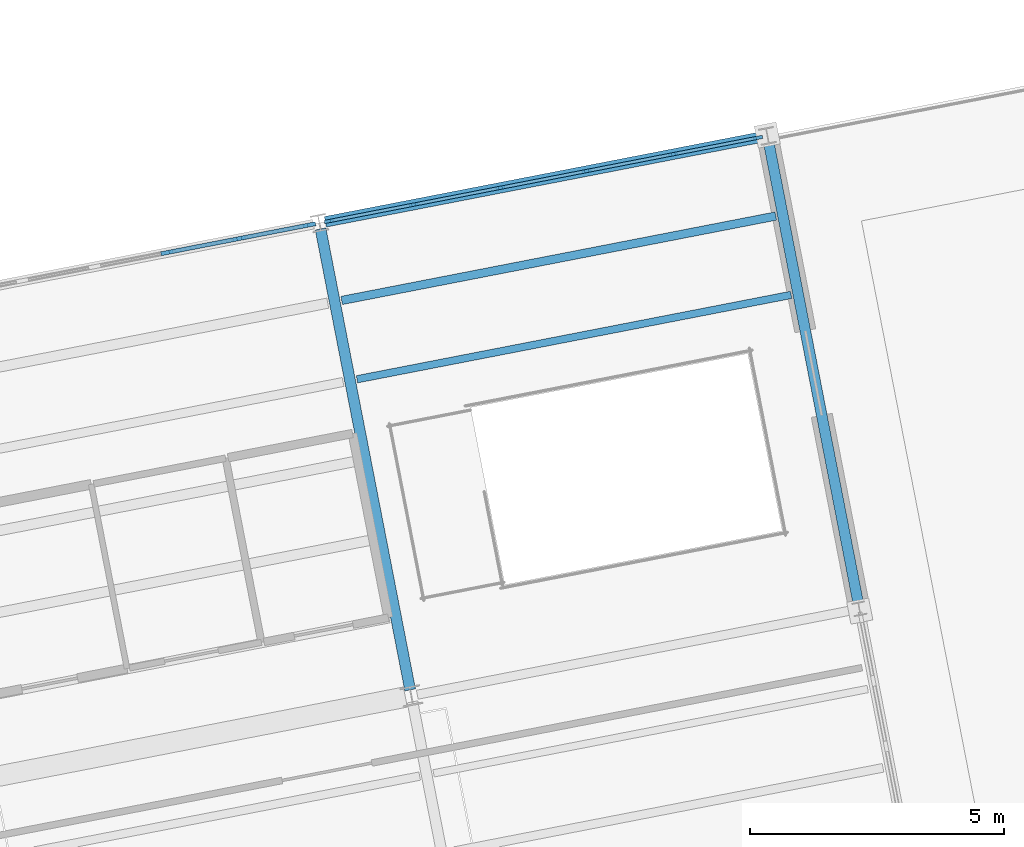
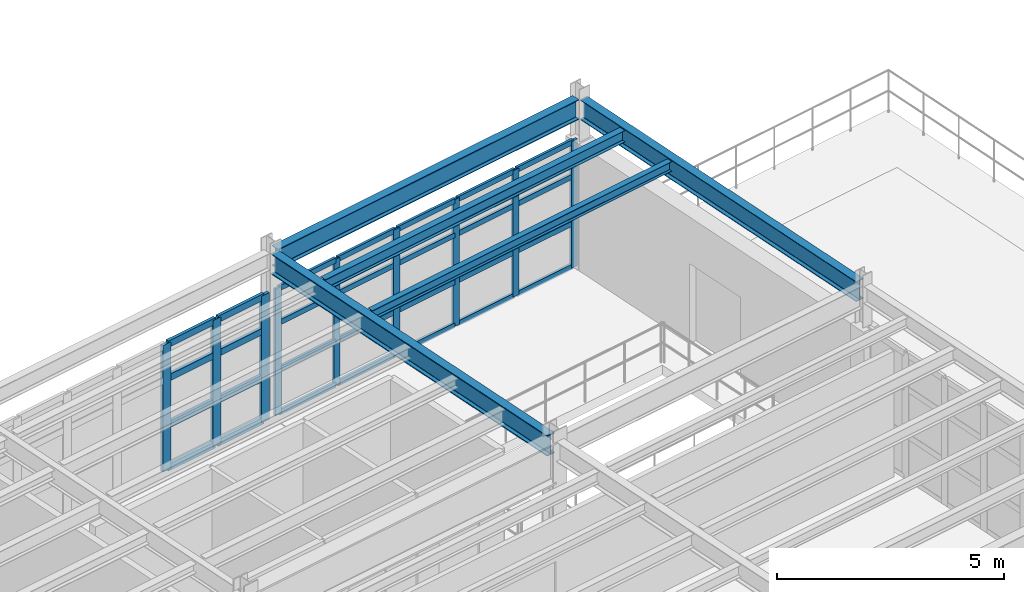
# One storey, part 21 of 102: 37 members, 5 beams, 2 elements without a shape of their own.
"""IFC4 building model written with IfcOpenShell, lengths in metres."""

from ifc_helpers import new_model, si_unit, direction, frame, origin, origin_2d, place, context, subcontext, project, spatial, rectangle, i_section, extrude, material, layer, layer_set, material_profile, profile_set, type_object, element, aggregate, save


model = new_model("IFC4")

# Units and contexts
model_context = context("Model", 3, precision=1e-05, world=origin(), true_north=direction((0.0, 1.0)))
body_context = subcontext(model_context, "Body", "Model", "MODEL_VIEW")
ifc_project = project(units=[si_unit("LENGTHUNIT", "METRE"), si_unit("AREAUNIT", "SQUARE_METRE"), si_unit("VOLUMEUNIT", "CUBIC_METRE"), si_unit("PLANEANGLEUNIT", "RADIAN"), si_unit("MASSUNIT", "GRAM", prefix="KILO")], contexts=[model_context])

# Site, building, storey
site_placement = place(None, origin())
site = spatial("IfcSite", under=ifc_project, at=site_placement, CompositionType="ELEMENT")
building_placement = place(site_placement, origin())
building = spatial("IfcBuilding", under=site, at=building_placement, Name="Vireo Bluff Cable Station", CompositionType="ELEMENT")
storey_placement = place(building_placement, frame((0.0, 0.0, 9.60009765625)))
storey = spatial("IfcBuildingStorey", under=building, at=storey_placement, Name="L02", CompositionType="ELEMENT", Elevation=9.60009765625)

# Beam
ifc_material_1 = material(Name="Steel ASTM A992 Gr. 50", Category="steel")
ifc_material_profile_1 = material_profile(ifc_material_1, i_section(OverallWidth=0.214111328125, OverallDepth=0.549072265625, WebThickness=0.0146484375, FlangeThickness=0.023681640625, FilletRadius=0.012939453125, at=origin_2d()), Name="W21X93")
ifc_profile_set_1 = profile_set([ifc_material_profile_1], Name="Steel ASTM A992 Gr. 50")
beam_type_1 = type_object("IfcBeamType", Name="BM-W21X93", PredefinedType="BEAM", material=ifc_profile_set_1)
beam_1_placement = place(storey_placement, frame((25.333740234375, 18.3779296875, 4.225341796875), z_axis=(-0.190804735679, 0.981628011439, 0.0), x_axis=(-0.981628011439, -0.190804735679, 0.0)))
element("IfcBeam", 1, at=beam_1_placement, inside=storey, type_object=beam_type_1, Name="V5 L02 beam 1263", PredefinedType="BEAM", context=body_context, shape_type="SweptSolid", body=[
    extrude(i_section(OverallWidth=0.214111328125, OverallDepth=0.549072265625, WebThickness=0.0146484375, FlangeThickness=0.023681640625, FilletRadius=0.012939453125, at=origin_2d()), origin(), (0.0, 0.0, 1.0), 9.260009765625),
])

# Curtain wall, members
ifc_material_2 = material(Name="Anodized Aluminium 6063-T6", Category="aluminium")
ifc_layer_1 = layer(ifc_material_2, 0.179931640625, Name="Anodized Aluminium 6063-T6")
ifc_layer_set_1 = layer_set([ifc_layer_1], Name="Anodized Aluminium 6063-T6")
curtain_wall_type_1 = type_object("IfcCurtainWallType", Name="CW-UNIT-1650", PredefinedType="USERDEFINED", material=ifc_layer_set_1)
curtain_wall_1_placement = place(storey_placement, origin())
curtain_wall_1 = element("IfcCurtainWall", 2, at=curtain_wall_1_placement, inside=storey, type_object=curtain_wall_type_1, Name="V5 L02 north curtain wall CW-128", ObjectType="UNITISED CURTAIN WALL", PredefinedType="USERDEFINED")
ifc_material_profile_2 = material_profile(ifc_material_2, rectangle(XDim=0.06494140625, YDim=0.179931640625, at=origin_2d()), Name="ALU-M-65X180")
ifc_profile_set_2 = profile_set([ifc_material_profile_2], Name="Anodized Aluminium 6063-T6")
member_type_1 = type_object("IfcMemberType", Name="CWM-01", PredefinedType="MULLION", material=ifc_profile_set_2)
member_1_placement = place(storey_placement, frame((23.7314453125, 27.621826171875, 0.0), z_axis=(0.0, 0.0, 1.0), x_axis=(-0.190808983435, 0.981627185769, 0.0)))
member_1 = element("IfcMember", 3, at=member_1_placement, type_object=member_type_1, Name="CW-128 mullion 1", PredefinedType="MULLION", context=body_context, shape_type="SweptSolid", body=[
    extrude(rectangle(XDim=0.06494140625, YDim=0.179931640625, at=origin_2d()), origin(), (0.0, 0.0, 1.0), 3.39990234375),
])
member_2_placement = place(storey_placement, frame((25.404541015625, 27.947265625, 0.0), z_axis=(0.0, 0.0, 1.0), x_axis=(-0.190808983435, 0.981627185769, 0.0)))
member_2 = element("IfcMember", 4, at=member_2_placement, type_object=member_type_1, Name="CW-128 mullion 2", PredefinedType="MULLION", context=body_context, shape_type="SweptSolid", body=[
    extrude(rectangle(XDim=0.06494140625, YDim=0.179931640625, at=origin_2d()), origin(), (0.0, 0.0, 1.0), 3.39990234375),
])
member_3_placement = place(storey_placement, frame((27.109619140625, 28.278564453125, 0.0), z_axis=(0.0, 0.0, 1.0), x_axis=(-0.190808983435, 0.981627185769, 0.0)))
member_3 = element("IfcMember", 5, at=member_3_placement, type_object=member_type_1, Name="CW-128 mullion 3", PredefinedType="MULLION", context=body_context, shape_type="SweptSolid", body=[
    extrude(rectangle(XDim=0.06494140625, YDim=0.179931640625, at=origin_2d()), origin(), (0.0, 0.0, 1.0), 3.39990234375),
])
member_4_placement = place(storey_placement, frame((28.814697265625, 28.610107421875, 0.0), z_axis=(0.0, 0.0, 1.0), x_axis=(-0.190808983435, 0.981627185769, 0.0)))
member_4 = element("IfcMember", 6, at=member_4_placement, type_object=member_type_1, Name="CW-128 mullion 4", PredefinedType="MULLION", context=body_context, shape_type="SweptSolid", body=[
    extrude(rectangle(XDim=0.06494140625, YDim=0.179931640625, at=origin_2d()), origin(), (0.0, 0.0, 1.0), 3.39990234375),
])
member_5_placement = place(storey_placement, frame((30.519775390625, 28.94140625, 0.0), z_axis=(0.0, 0.0, 1.0), x_axis=(-0.190808983435, 0.981627185769, 0.0)))
member_5 = element("IfcMember", 7, at=member_5_placement, type_object=member_type_1, Name="CW-128 mullion 5", PredefinedType="MULLION", context=body_context, shape_type="SweptSolid", body=[
    extrude(rectangle(XDim=0.06494140625, YDim=0.179931640625, at=origin_2d()), origin(), (0.0, 0.0, 1.0), 3.39990234375),
])
member_6_placement = place(storey_placement, frame((32.193115234375, 29.2666015625, 0.0), z_axis=(0.0, 0.0, 1.0), x_axis=(-0.190808983435, 0.981627185769, 0.0)))
member_6 = element("IfcMember", 8, at=member_6_placement, type_object=member_type_1, Name="CW-128 mullion 6", PredefinedType="MULLION", context=body_context, shape_type="SweptSolid", body=[
    extrude(rectangle(XDim=0.06494140625, YDim=0.179931640625, at=origin_2d()), origin(), (0.0, 0.0, 1.0), 3.39990234375),
])

ifc_layer_2 = layer(ifc_material_2, 0.179931640625, Name="Anodized Aluminium 6063-T6")
ifc_layer_set_2 = layer_set([ifc_layer_2], Name="Anodized Aluminium 6063-T6")
curtain_wall_type_2 = type_object("IfcCurtainWallType", Name="CW-UNIT-1500", PredefinedType="USERDEFINED", material=ifc_layer_set_2)
curtain_wall_2_placement = place(storey_placement, origin())
curtain_wall_2 = element("IfcCurtainWall", 9, at=curtain_wall_2_placement, inside=storey, type_object=curtain_wall_type_2, Name="V5 L02 north curtain wall CW-127", ObjectType="UNITISED CURTAIN WALL", PredefinedType="USERDEFINED")
ifc_material_profile_3 = material_profile(ifc_material_2, rectangle(XDim=0.080078125, YDim=0.239990234375, at=origin_2d()), Name="ALU-M-80X240")
ifc_profile_set_3 = profile_set([ifc_material_profile_3], Name="Anodized Aluminium 6063-T6")
member_type_2 = type_object("IfcMemberType", Name="CWM-04", PredefinedType="MULLION", material=ifc_profile_set_3)
member_7_placement = place(storey_placement, frame((20.53759765625, 27.001220703125, 0.0), z_axis=(0.0, 0.0, 1.0), x_axis=(-0.19080899942, 0.981627182662, 0.0)))
member_7 = element("IfcMember", 10, at=member_7_placement, type_object=member_type_2, Name="CW-127 mullion 5", PredefinedType="MULLION", context=body_context, shape_type="SweptSolid", body=[
    extrude(rectangle(XDim=0.080078125, YDim=0.239990234375, at=origin_2d()), origin(), (0.0, 0.0, 1.0), 3.39990234375),
])
member_8_placement = place(storey_placement, frame((21.962890625, 27.278076171875, 0.0), z_axis=(0.0, 0.0, 1.0), x_axis=(-0.19080899942, 0.981627182662, 0.0)))
member_8 = element("IfcMember", 11, at=member_8_placement, type_object=member_type_2, Name="CW-127 mullion 6", PredefinedType="MULLION", context=body_context, shape_type="SweptSolid", body=[
    extrude(rectangle(XDim=0.080078125, YDim=0.239990234375, at=origin_2d()), origin(), (0.0, 0.0, 1.0), 3.39990234375),
])
member_9_placement = place(storey_placement, frame((23.34912109375, 27.547607421875, 0.0), z_axis=(0.0, 0.0, 1.0), x_axis=(-0.19080899942, 0.981627182662, 0.0)))
member_9 = element("IfcMember", 12, at=member_9_placement, type_object=member_type_2, Name="CW-127 mullion 7", PredefinedType="MULLION", context=body_context, shape_type="SweptSolid", body=[
    extrude(rectangle(XDim=0.080078125, YDim=0.239990234375, at=origin_2d()), origin(), (0.0, 0.0, 1.0), 3.39990234375),
])

# Member
ifc_material_profile_4 = material_profile(ifc_material_2, rectangle(XDim=0.06494140625, YDim=0.139892578125, at=origin_2d()), Name="ALU-T-65X140")
ifc_profile_set_4 = profile_set([ifc_material_profile_4], Name="Anodized Aluminium 6063-T6")
member_type_3 = type_object("IfcMemberType", Name="CWT-01", PredefinedType="USERDEFINED", material=ifc_profile_set_4)
member_10_placement = place(storey_placement, frame((23.763427734375, 27.628173828125, 0.032470703125), z_axis=(0.981637083715, 0.190758055861, 0.0), x_axis=(-0.190758055861, 0.981637083715, 0.0)))
member_10 = element("IfcMember", 13, at=member_10_placement, type_object=member_type_3, Name="CW-128 transom 1.1", ObjectType="TRANSOM", PredefinedType="USERDEFINED", context=body_context, shape_type="SweptSolid", body=[
    extrude(rectangle(XDim=0.06494140625, YDim=0.139892578125, at=origin_2d()), origin(), (0.0, 0.0, 1.0), 1.639404296875),
])

member_11_placement = place(storey_placement, frame((23.763427734375, 27.628173828125, 1.18994140625), z_axis=(0.981637083715, 0.190758055861, 0.0), x_axis=(-0.190758055861, 0.981637083715, 0.0)))
member_11 = element("IfcMember", 14, at=member_11_placement, type_object=member_type_3, Name="CW-128 transom 1.2", ObjectType="TRANSOM", PredefinedType="USERDEFINED", context=body_context, shape_type="SweptSolid", body=[
    extrude(rectangle(XDim=0.06494140625, YDim=0.139892578125, at=origin_2d()), origin(), (0.0, 0.0, 1.0), 1.639404296875),
])

member_12_placement = place(storey_placement, frame((23.763427734375, 27.628173828125, 2.447998046875), z_axis=(0.981637083715, 0.190758055861, 0.0), x_axis=(-0.190758055861, 0.981637083715, 0.0)))
member_12 = element("IfcMember", 15, at=member_12_placement, type_object=member_type_3, Name="CW-128 transom 1.3", ObjectType="TRANSOM", PredefinedType="USERDEFINED", context=body_context, shape_type="SweptSolid", body=[
    extrude(rectangle(XDim=0.06494140625, YDim=0.139892578125, at=origin_2d()), origin(), (0.0, 0.0, 1.0), 1.639404296875),
])

member_13_placement = place(storey_placement, frame((23.763427734375, 27.628173828125, 3.367431640625), z_axis=(0.981637083715, 0.190758055861, 0.0), x_axis=(-0.190758055861, 0.981637083715, 0.0)))
member_13 = element("IfcMember", 16, at=member_13_placement, type_object=member_type_3, Name="CW-128 transom 1.4", ObjectType="TRANSOM", PredefinedType="USERDEFINED", context=body_context, shape_type="SweptSolid", body=[
    extrude(rectangle(XDim=0.06494140625, YDim=0.139892578125, at=origin_2d()), origin(), (0.0, 0.0, 1.0), 1.639404296875),
])

member_14_placement = place(storey_placement, frame((25.4365234375, 27.953369140625, 0.032470703125), z_axis=(0.981622228148, 0.190834486418, 0.0), x_axis=(-0.190834486418, 0.981622228148, 0.0)))
member_14 = element("IfcMember", 17, at=member_14_placement, type_object=member_type_3, Name="CW-128 transom 2.1", ObjectType="TRANSOM", PredefinedType="USERDEFINED", context=body_context, shape_type="SweptSolid", body=[
    extrude(rectangle(XDim=0.06494140625, YDim=0.139892578125, at=origin_2d()), origin(), (0.0, 0.0, 1.0), 1.672119140625),
])

member_15_placement = place(storey_placement, frame((25.4365234375, 27.953369140625, 1.18994140625), z_axis=(0.981622228148, 0.190834486418, 0.0), x_axis=(-0.190834486418, 0.981622228148, 0.0)))
member_15 = element("IfcMember", 18, at=member_15_placement, type_object=member_type_3, Name="CW-128 transom 2.2", ObjectType="TRANSOM", PredefinedType="USERDEFINED", context=body_context, shape_type="SweptSolid", body=[
    extrude(rectangle(XDim=0.06494140625, YDim=0.139892578125, at=origin_2d()), origin(), (0.0, 0.0, 1.0), 1.672119140625),
])

member_16_placement = place(storey_placement, frame((25.4365234375, 27.953369140625, 2.447998046875), z_axis=(0.981622228148, 0.190834486418, 0.0), x_axis=(-0.190834486418, 0.981622228148, 0.0)))
member_16 = element("IfcMember", 19, at=member_16_placement, type_object=member_type_3, Name="CW-128 transom 2.3", ObjectType="TRANSOM", PredefinedType="USERDEFINED", context=body_context, shape_type="SweptSolid", body=[
    extrude(rectangle(XDim=0.06494140625, YDim=0.139892578125, at=origin_2d()), origin(), (0.0, 0.0, 1.0), 1.672119140625),
])

member_17_placement = place(storey_placement, frame((25.4365234375, 27.953369140625, 3.367431640625), z_axis=(0.981622228148, 0.190834486418, 0.0), x_axis=(-0.190834486418, 0.981622228148, 0.0)))
member_17 = element("IfcMember", 20, at=member_17_placement, type_object=member_type_3, Name="CW-128 transom 2.4", ObjectType="TRANSOM", PredefinedType="USERDEFINED", context=body_context, shape_type="SweptSolid", body=[
    extrude(rectangle(XDim=0.06494140625, YDim=0.139892578125, at=origin_2d()), origin(), (0.0, 0.0, 1.0), 1.672119140625),
])

member_18_placement = place(storey_placement, frame((27.1416015625, 28.284912109375, 0.032470703125), z_axis=(0.981649570413, 0.190693788332, 0.0), x_axis=(-0.190693788332, 0.981649570413, 0.0)))
member_18 = element("IfcMember", 21, at=member_18_placement, type_object=member_type_3, Name="CW-128 transom 3.1", ObjectType="TRANSOM", PredefinedType="USERDEFINED", context=body_context, shape_type="SweptSolid", body=[
    extrude(rectangle(XDim=0.06494140625, YDim=0.139892578125, at=origin_2d()), origin(), (0.0, 0.0, 1.0), 1.672119140625),
])

member_19_placement = place(storey_placement, frame((27.1416015625, 28.284912109375, 1.18994140625), z_axis=(0.981649570413, 0.190693788332, 0.0), x_axis=(-0.190693788332, 0.981649570413, 0.0)))
member_19 = element("IfcMember", 22, at=member_19_placement, type_object=member_type_3, Name="CW-128 transom 3.2", ObjectType="TRANSOM", PredefinedType="USERDEFINED", context=body_context, shape_type="SweptSolid", body=[
    extrude(rectangle(XDim=0.06494140625, YDim=0.139892578125, at=origin_2d()), origin(), (0.0, 0.0, 1.0), 1.672119140625),
])

member_20_placement = place(storey_placement, frame((27.1416015625, 28.284912109375, 2.447998046875), z_axis=(0.981649570413, 0.190693788332, 0.0), x_axis=(-0.190693788332, 0.981649570413, 0.0)))
member_20 = element("IfcMember", 23, at=member_20_placement, type_object=member_type_3, Name="CW-128 transom 3.3", ObjectType="TRANSOM", PredefinedType="USERDEFINED", context=body_context, shape_type="SweptSolid", body=[
    extrude(rectangle(XDim=0.06494140625, YDim=0.139892578125, at=origin_2d()), origin(), (0.0, 0.0, 1.0), 1.672119140625),
])

member_21_placement = place(storey_placement, frame((27.1416015625, 28.284912109375, 3.367431640625), z_axis=(0.981649570413, 0.190693788332, 0.0), x_axis=(-0.190693788332, 0.981649570413, 0.0)))
member_21 = element("IfcMember", 24, at=member_21_placement, type_object=member_type_3, Name="CW-128 transom 3.4", ObjectType="TRANSOM", PredefinedType="USERDEFINED", context=body_context, shape_type="SweptSolid", body=[
    extrude(rectangle(XDim=0.06494140625, YDim=0.139892578125, at=origin_2d()), origin(), (0.0, 0.0, 1.0), 1.672119140625),
])

member_22_placement = place(storey_placement, frame((28.8466796875, 28.6162109375, 0.032470703125), z_axis=(0.981622228148, 0.190834486418, 0.0), x_axis=(-0.190834486418, 0.981622228148, 0.0)))
member_22 = element("IfcMember", 25, at=member_22_placement, type_object=member_type_3, Name="CW-128 transom 4.1", ObjectType="TRANSOM", PredefinedType="USERDEFINED", context=body_context, shape_type="SweptSolid", body=[
    extrude(rectangle(XDim=0.06494140625, YDim=0.139892578125, at=origin_2d()), origin(), (0.0, 0.0, 1.0), 1.672119140625),
])

member_23_placement = place(storey_placement, frame((28.8466796875, 28.6162109375, 1.18994140625), z_axis=(0.981622228148, 0.190834486418, 0.0), x_axis=(-0.190834486418, 0.981622228148, 0.0)))
member_23 = element("IfcMember", 26, at=member_23_placement, type_object=member_type_3, Name="CW-128 transom 4.2", ObjectType="TRANSOM", PredefinedType="USERDEFINED", context=body_context, shape_type="SweptSolid", body=[
    extrude(rectangle(XDim=0.06494140625, YDim=0.139892578125, at=origin_2d()), origin(), (0.0, 0.0, 1.0), 1.672119140625),
])

member_24_placement = place(storey_placement, frame((28.8466796875, 28.6162109375, 2.447998046875), z_axis=(0.981622228148, 0.190834486418, 0.0), x_axis=(-0.190834486418, 0.981622228148, 0.0)))
member_24 = element("IfcMember", 27, at=member_24_placement, type_object=member_type_3, Name="CW-128 transom 4.3", ObjectType="TRANSOM", PredefinedType="USERDEFINED", context=body_context, shape_type="SweptSolid", body=[
    extrude(rectangle(XDim=0.06494140625, YDim=0.139892578125, at=origin_2d()), origin(), (0.0, 0.0, 1.0), 1.672119140625),
])

member_25_placement = place(storey_placement, frame((28.8466796875, 28.6162109375, 3.367431640625), z_axis=(0.981622228148, 0.190834486418, 0.0), x_axis=(-0.190834486418, 0.981622228148, 0.0)))
member_25 = element("IfcMember", 28, at=member_25_placement, type_object=member_type_3, Name="CW-128 transom 4.4", ObjectType="TRANSOM", PredefinedType="USERDEFINED", context=body_context, shape_type="SweptSolid", body=[
    extrude(rectangle(XDim=0.06494140625, YDim=0.139892578125, at=origin_2d()), origin(), (0.0, 0.0, 1.0), 1.672119140625),
])

member_26_placement = place(storey_placement, frame((30.5517578125, 28.94775390625, 0.032470703125), z_axis=(0.981637083715, 0.190758055861, 0.0), x_axis=(-0.190758055861, 0.981637083715, 0.0)))
member_26 = element("IfcMember", 29, at=member_26_placement, type_object=member_type_3, Name="CW-128 transom 5.1", ObjectType="TRANSOM", PredefinedType="USERDEFINED", context=body_context, shape_type="SweptSolid", body=[
    extrude(rectangle(XDim=0.06494140625, YDim=0.139892578125, at=origin_2d()), origin(), (0.0, 0.0, 1.0), 1.639404296875),
])

member_27_placement = place(storey_placement, frame((30.5517578125, 28.94775390625, 1.18994140625), z_axis=(0.981637083715, 0.190758055861, 0.0), x_axis=(-0.190758055861, 0.981637083715, 0.0)))
member_27 = element("IfcMember", 30, at=member_27_placement, type_object=member_type_3, Name="CW-128 transom 5.2", ObjectType="TRANSOM", PredefinedType="USERDEFINED", context=body_context, shape_type="SweptSolid", body=[
    extrude(rectangle(XDim=0.06494140625, YDim=0.139892578125, at=origin_2d()), origin(), (0.0, 0.0, 1.0), 1.639404296875),
])

member_28_placement = place(storey_placement, frame((30.5517578125, 28.94775390625, 2.447998046875), z_axis=(0.981637083715, 0.190758055861, 0.0), x_axis=(-0.190758055861, 0.981637083715, 0.0)))
member_28 = element("IfcMember", 31, at=member_28_placement, type_object=member_type_3, Name="CW-128 transom 5.3", ObjectType="TRANSOM", PredefinedType="USERDEFINED", context=body_context, shape_type="SweptSolid", body=[
    extrude(rectangle(XDim=0.06494140625, YDim=0.139892578125, at=origin_2d()), origin(), (0.0, 0.0, 1.0), 1.639404296875),
])

member_29_placement = place(storey_placement, frame((30.5517578125, 28.94775390625, 3.367431640625), z_axis=(0.981637083715, 0.190758055861, 0.0), x_axis=(-0.190758055861, 0.981637083715, 0.0)))
member_29 = element("IfcMember", 32, at=member_29_placement, type_object=member_type_3, Name="CW-128 transom 5.4", ObjectType="TRANSOM", PredefinedType="USERDEFINED", context=body_context, shape_type="SweptSolid", body=[
    extrude(rectangle(XDim=0.06494140625, YDim=0.139892578125, at=origin_2d()), origin(), (0.0, 0.0, 1.0), 1.639404296875),
])

aggregate(curtain_wall_1, [member_1, member_2, member_3, member_4, member_5, member_6, member_10, member_11, member_12, member_13, member_14, member_15, member_16, member_17, member_18, member_19, member_20, member_21, member_22, member_23, member_24, member_25, member_26, member_27, member_28, member_29])

ifc_material_profile_5 = material_profile(ifc_material_2, rectangle(XDim=0.080078125, YDim=0.175048828125, at=origin_2d()), Name="ALU-T-80X175")
ifc_profile_set_5 = profile_set([ifc_material_profile_5], Name="Anodized Aluminium 6063-T6")
member_type_4 = type_object("IfcMemberType", Name="CWT-04", PredefinedType="USERDEFINED", material=ifc_profile_set_5)
member_30_placement = place(storey_placement, frame((20.576904296875, 27.0087890625, 0.039794921875), z_axis=(0.981640384064, 0.190741071546, 0.0), x_axis=(-0.190741071546, 0.981640384064, 0.0)))
member_30 = element("IfcMember", 33, at=member_30_placement, type_object=member_type_4, Name="CW-127 transom 5.1", ObjectType="TRANSOM", PredefinedType="USERDEFINED", context=body_context, shape_type="SweptSolid", body=[
    extrude(rectangle(XDim=0.080078125, YDim=0.175048828125, at=origin_2d()), origin(), (0.0, 0.0, 1.0), 1.3720703125),
])

member_31_placement = place(storey_placement, frame((20.576904296875, 27.0087890625, 1.18994140625), z_axis=(0.981640384064, 0.190741071546, 0.0), x_axis=(-0.190741071546, 0.981640384064, 0.0)))
member_31 = element("IfcMember", 34, at=member_31_placement, type_object=member_type_4, Name="CW-127 transom 5.2", ObjectType="TRANSOM", PredefinedType="USERDEFINED", context=body_context, shape_type="SweptSolid", body=[
    extrude(rectangle(XDim=0.080078125, YDim=0.175048828125, at=origin_2d()), origin(), (0.0, 0.0, 1.0), 1.3720703125),
])

member_32_placement = place(storey_placement, frame((20.576904296875, 27.0087890625, 2.447998046875), z_axis=(0.981640384064, 0.190741071546, 0.0), x_axis=(-0.190741071546, 0.981640384064, 0.0)))
member_32 = element("IfcMember", 35, at=member_32_placement, type_object=member_type_4, Name="CW-127 transom 5.3", ObjectType="TRANSOM", PredefinedType="USERDEFINED", context=body_context, shape_type="SweptSolid", body=[
    extrude(rectangle(XDim=0.080078125, YDim=0.175048828125, at=origin_2d()), origin(), (0.0, 0.0, 1.0), 1.3720703125),
])

member_33_placement = place(storey_placement, frame((20.576904296875, 27.0087890625, 3.35986328125), z_axis=(0.981640384064, 0.190741071546, 0.0), x_axis=(-0.190741071546, 0.981640384064, 0.0)))
member_33 = element("IfcMember", 36, at=member_33_placement, type_object=member_type_4, Name="CW-127 transom 5.4", ObjectType="TRANSOM", PredefinedType="USERDEFINED", context=body_context, shape_type="SweptSolid", body=[
    extrude(rectangle(XDim=0.080078125, YDim=0.175048828125, at=origin_2d()), origin(), (0.0, 0.0, 1.0), 1.3720703125),
])

member_34_placement = place(storey_placement, frame((22.002197265625, 27.285888671875, 0.039794921875), z_axis=(0.981630648244, 0.190791169683, 0.0), x_axis=(-0.190791169683, 0.981630648244, 0.0)))
member_34 = element("IfcMember", 37, at=member_34_placement, type_object=member_type_4, Name="CW-127 transom 6.1", ObjectType="TRANSOM", PredefinedType="USERDEFINED", context=body_context, shape_type="SweptSolid", body=[
    extrude(rectangle(XDim=0.080078125, YDim=0.175048828125, at=origin_2d()), origin(), (0.0, 0.0, 1.0), 1.33203125),
])

member_35_placement = place(storey_placement, frame((22.002197265625, 27.285888671875, 1.18994140625), z_axis=(0.981630648244, 0.190791169683, 0.0), x_axis=(-0.190791169683, 0.981630648244, 0.0)))
member_35 = element("IfcMember", 38, at=member_35_placement, type_object=member_type_4, Name="CW-127 transom 6.2", ObjectType="TRANSOM", PredefinedType="USERDEFINED", context=body_context, shape_type="SweptSolid", body=[
    extrude(rectangle(XDim=0.080078125, YDim=0.175048828125, at=origin_2d()), origin(), (0.0, 0.0, 1.0), 1.33203125),
])

member_36_placement = place(storey_placement, frame((22.002197265625, 27.285888671875, 2.447998046875), z_axis=(0.981630648244, 0.190791169683, 0.0), x_axis=(-0.190791169683, 0.981630648244, 0.0)))
member_36 = element("IfcMember", 39, at=member_36_placement, type_object=member_type_4, Name="CW-127 transom 6.3", ObjectType="TRANSOM", PredefinedType="USERDEFINED", context=body_context, shape_type="SweptSolid", body=[
    extrude(rectangle(XDim=0.080078125, YDim=0.175048828125, at=origin_2d()), origin(), (0.0, 0.0, 1.0), 1.33203125),
])

member_37_placement = place(storey_placement, frame((22.002197265625, 27.285888671875, 3.35986328125), z_axis=(0.981630648244, 0.190791169683, 0.0), x_axis=(-0.190791169683, 0.981630648244, 0.0)))
member_37 = element("IfcMember", 40, at=member_37_placement, type_object=member_type_4, Name="CW-127 transom 6.4", ObjectType="TRANSOM", PredefinedType="USERDEFINED", context=body_context, shape_type="SweptSolid", body=[
    extrude(rectangle(XDim=0.080078125, YDim=0.175048828125, at=origin_2d()), origin(), (0.0, 0.0, 1.0), 1.33203125),
])

aggregate(curtain_wall_2, [member_7, member_8, member_9, member_30, member_31, member_32, member_33, member_34, member_35, member_36, member_37])

# Beams
ifc_material_profile_6 = material_profile(ifc_material_1, i_section(OverallWidth=0.14599609375, OverallDepth=0.259033203125, WebThickness=0.006103515625, FlangeThickness=0.009033203125, FilletRadius=0.009033203125, at=origin_2d()), Name="W10X22")
ifc_profile_set_6 = profile_set([ifc_material_profile_6], Name="Steel ASTM A992 Gr. 50")
beam_type_2 = type_object("IfcBeamType", Name="JST-W10X22", PredefinedType="JOIST", material=ifc_profile_set_6)
beam_2_placement = place(storey_placement, frame((24.28564453125, 24.503662109375, 4.370361328125), z_axis=(0.981628064538, 0.190804462503, 0.0), x_axis=(-0.190804462503, 0.981628064538, 0.0)))
element("IfcBeam", 41, at=beam_2_placement, inside=storey, type_object=beam_type_2, Name="V5 L02 composite joist 1286", PredefinedType="JOIST", context=body_context, shape_type="SweptSolid", body=[
    extrude(i_section(OverallWidth=0.14599609375, OverallDepth=0.259033203125, WebThickness=0.006103515625, FlangeThickness=0.009033203125, FilletRadius=0.009033203125, at=origin_2d()), origin(), (0.0, 0.0, 1.0), 8.719970703125),
])
ifc_material_profile_7 = material_profile(ifc_material_1, i_section(OverallWidth=0.1650390625, OverallDepth=0.31005859375, WebThickness=0.005859375, FlangeThickness=0.009765625, FilletRadius=0.010009765625, at=origin_2d()), Name="W12X26")
ifc_profile_set_7 = profile_set([ifc_material_profile_7], Name="Steel ASTM A992 Gr. 50")
beam_type_3 = type_object("IfcBeamType", Name="JST-W12X26", PredefinedType="JOIST", material=ifc_profile_set_7)
beam_3_placement = place(storey_placement, frame((23.9833984375, 26.057861328125, 4.344970703125), z_axis=(0.98162282025, 0.190831440713, 0.0), x_axis=(-0.190831440713, 0.98162282025, 0.0)))
element("IfcBeam", 42, at=beam_3_placement, inside=storey, type_object=beam_type_3, Name="V5 L02 composite joist 1287", PredefinedType="JOIST", context=body_context, shape_type="SweptSolid", body=[
    extrude(i_section(OverallWidth=0.1650390625, OverallDepth=0.31005859375, WebThickness=0.005859375, FlangeThickness=0.009765625, FilletRadius=0.010009765625, at=origin_2d()), origin(), (0.0, 0.0, 1.0), 8.719970703125),
])
ifc_material_profile_8 = material_profile(ifc_material_1, i_section(OverallWidth=0.2099609375, OverallDepth=0.535888671875, WebThickness=0.010986328125, FlangeThickness=0.017333984375, FilletRadius=0.012939453125, at=origin_2d()), Name="W21X68")
ifc_profile_set_8 = profile_set([ifc_material_profile_8], Name="Steel ASTM A992 Gr. 50")
beam_type_4 = type_object("IfcBeamType", Name="SPN-W21X68", PredefinedType="SPANDREL", material=ifc_profile_set_8)
beam_4_placement = place(storey_placement, frame((23.66162109375, 27.6083984375, 4.23193359375), z_axis=(0.981629601573, 0.190796554777, 0.0), x_axis=(-0.190796554777, 0.981629601573, 0.0)))
element("IfcBeam", 43, at=beam_4_placement, inside=storey, type_object=beam_type_4, Name="V5 L02 spandrel 1257", PredefinedType="SPANDREL", context=body_context, shape_type="SweptSolid", body=[
    extrude(i_section(OverallWidth=0.2099609375, OverallDepth=0.535888671875, WebThickness=0.010986328125, FlangeThickness=0.017333984375, FilletRadius=0.012939453125, at=origin_2d()), origin(), (0.0, 0.0, 1.0), 8.760009765625),
])
beam_5_placement = place(storey_placement, frame((34.16845703125, 20.09521484375, 4.23193359375), z_axis=(-0.190830140795, 0.981623072958, 0.0), x_axis=(-0.981623072958, -0.190830140795, 0.0)))
element("IfcBeam", 44, at=beam_5_placement, inside=storey, type_object=beam_type_4, Name="V5 L02 spandrel 1265", PredefinedType="SPANDREL", context=body_context, shape_type="SweptSolid", body=[
    extrude(i_section(OverallWidth=0.2099609375, OverallDepth=0.535888671875, WebThickness=0.010986328125, FlangeThickness=0.017333984375, FilletRadius=0.012939453125, at=origin_2d()), origin(), (0.0, 0.0, 1.0), 9.260009765625),
])

save(model, "model.ifc")
